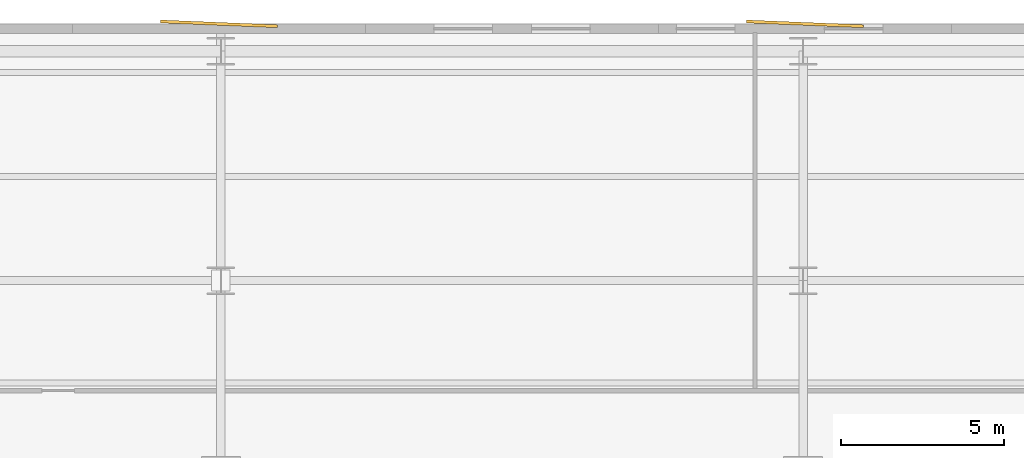
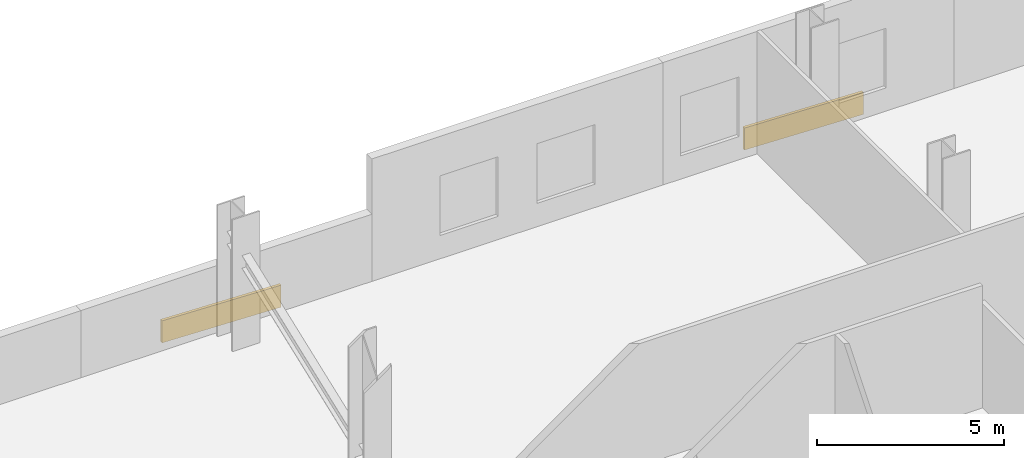
# One storey, part 9 of 9: 2 coverings.
"""IFC4 building model written with IfcOpenShell, lengths in metres."""

from ifc_helpers import new_model, si_unit, direction, frame, origin, origin_2d, place, context, subcontext, project, spatial, rectangle, extrude, material, layer, layer_set, type_object, element, save


model = new_model("IFC4")

# Units and contexts
model_context = context("Model", 3, precision=1e-05, world=origin(), true_north=direction((0.0, 1.0)))
body_context = subcontext(model_context, "Body", "Model", "MODEL_VIEW")
ifc_project = project(units=[si_unit("LENGTHUNIT", "METRE"), si_unit("AREAUNIT", "SQUARE_METRE"), si_unit("VOLUMEUNIT", "CUBIC_METRE"), si_unit("PLANEANGLEUNIT", "RADIAN"), si_unit("MASSUNIT", "GRAM", prefix="KILO")], contexts=[model_context])

# Site, building, storey
site_placement = place(None, origin())
site = spatial("IfcSite", under=ifc_project, at=site_placement, CompositionType="ELEMENT")
building_placement = place(site_placement, origin())
building = spatial("IfcBuilding", under=site, at=building_placement, Name="Velakula Bourse", CompositionType="ELEMENT")
storey_placement = place(building_placement, frame((0.0, 0.0, 65.699951171875)))
storey = spatial("IfcBuildingStorey", under=building, at=storey_placement, Name="L17", CompositionType="ELEMENT", Elevation=65.699951171875)

# Coverings
ifc_material = material(Name="Red kilned clay facing brick masonry", Category="masonry")
ifc_layer = layer(ifc_material, 0.090087890625, Name="Red kilned clay facing brick masonry", Category="masonry")
ifc_layer_set = layer_set([ifc_layer], Name="Red kilned clay facing brick masonry")
covering_type = type_object("IfcCoveringType", Name="COV-BRK-FOLD-90", PredefinedType="CLADDING", material=ifc_layer_set)
for number, where, z_axis, x_axis, name in (
    (1, (-9.0, 22.489990234375, 0.0), (0.0, 0.0, 1.0), (0.999158993058, -0.041003738744, 0.0), "L17 Folded Brick Facade Cladding Panel N-B2"),
    (2, (9.0, 22.489990234375, 0.0), (0.0, 0.0, 1.0), (0.999158993058, -0.041003738744, 0.0), "L17 Folded Brick Facade Cladding Panel N-B4"),
):
    element("IfcCovering", number, at=place(storey_placement, frame(where, z_axis=z_axis, x_axis=x_axis)), inside=storey, type_object=covering_type, Name=name, PredefinedType="CLADDING", context=body_context, shape_type="SweptSolid", body=[
        extrude(rectangle(XDim=3.60009765625, YDim=0.090087890625, at=origin_2d()), origin(), (0.0, 0.0, 1.0), 0.719970703125),
    ])

save(model, "model.ifc")
